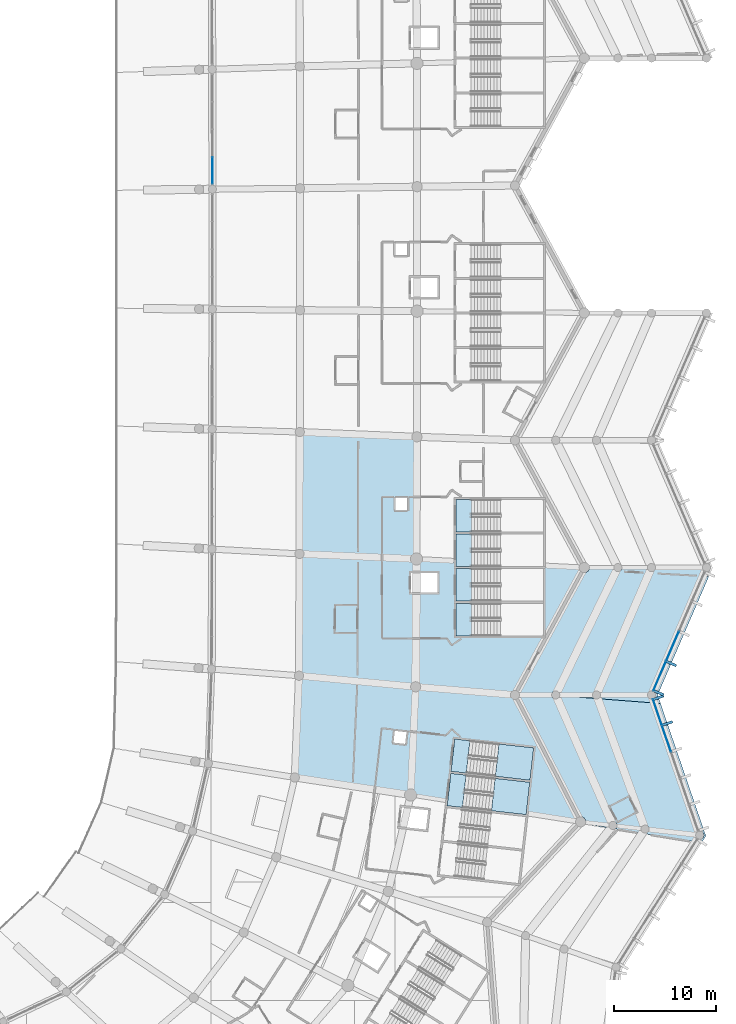
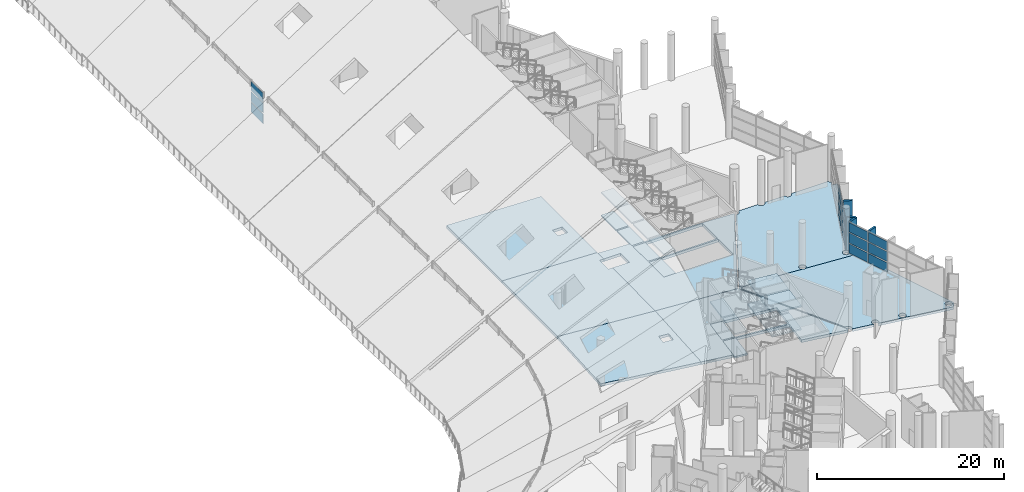
# One storey, part 114 of 249: 23 slabs, 19 plates, 9 elements without a shape of their own.
"""IFC4 building model written with IfcOpenShell, lengths in metres."""

from ifc_helpers import new_model, si_unit, direction, frame, origin, origin_2d, place, context, subcontext, project, spatial, polyline, rectangle, outline, extrude, material, layer, layer_set, type_object, element, aggregate, save


model = new_model("IFC4")

# Units and contexts
model_context = context("Model", 3, precision=1e-05, world=origin(), true_north=direction((0.0, 1.0)))
body_context = subcontext(model_context, "Body", "Model", "MODEL_VIEW")
ifc_project = project(units=[si_unit("LENGTHUNIT", "METRE"), si_unit("AREAUNIT", "SQUARE_METRE"), si_unit("VOLUMEUNIT", "CUBIC_METRE"), si_unit("PLANEANGLEUNIT", "RADIAN"), si_unit("MASSUNIT", "GRAM", prefix="KILO")], contexts=[model_context])

# Site, building, storey
site_placement = place(None, origin())
site = spatial("IfcSite", under=ifc_project, at=site_placement, CompositionType="ELEMENT")
building_placement = place(site_placement, origin())
building = spatial("IfcBuilding", under=site, at=building_placement, Name="Meseta Stadium", CompositionType="ELEMENT")
storey_placement = place(building_placement, frame((0.0, 0.0, 12.0)))
storey = spatial("IfcBuildingStorey", under=building, at=storey_placement, Name="L02", CompositionType="ELEMENT", Elevation=12.0)

# Curtain wall, plates
ifc_material_1 = material(Name="Aluminium", Category="aluminium")
ifc_layer_1 = layer(ifc_material_1, 0.199951171875)
ifc_layer_set_1 = layer_set([ifc_layer_1], Name="Suite glazing curtain wall")
curtain_wall_type_1 = type_object("IfcCurtainWallType", Name="Suite glazing curtain wall", PredefinedType="NOTDEFINED", material=ifc_layer_set_1)
curtain_wall_1_placement = place(storey_placement, origin())
curtain_wall_1 = element("IfcCurtainWall", 1, at=curtain_wall_1_placement, inside=storey, type_object=curtain_wall_type_1, Name="Suite glazing bay 05", PredefinedType="NOTDEFINED")
ifc_material_2 = material(Name="Glass", Category="glass")
ifc_layer_2 = layer(ifc_material_2, 0.035888671875)
ifc_layer_set_2 = layer_set([ifc_layer_2], Name="CW glass panel 36")
plate_type_1 = type_object("IfcPlateType", Name="CW glass panel 36", PredefinedType="CURTAIN_PANEL", material=ifc_layer_set_2)
plate_1_placement = place(storey_placement, frame((64.896728515625, 7.73291015625, 1.4873046875), z_axis=(0.0, 0.0, 1.0), x_axis=(-0.000975355927, 0.99999952434, 0.0)))
plate_1 = element("IfcPlate", 2, at=plate_1_placement, type_object=plate_type_1, Name="CWS panel 1.2", PredefinedType="CURTAIN_PANEL", context=body_context, shape_type="SweptSolid", body=[
    extrude(rectangle(XDim=2.61376953125, YDim=0.035888671875, at=origin_2d()), origin(), (0.0, 0.0, 1.0), 1.262451171875),
])
plate_2_placement = place(storey_placement, frame((64.896728515625, 7.73291015625, 2.89990234375), z_axis=(0.0, 0.0, 1.0), x_axis=(-0.000975355927, 0.99999952434, 0.0)))
plate_2 = element("IfcPlate", 3, at=plate_2_placement, type_object=plate_type_1, Name="CWS panel 1.3", PredefinedType="CURTAIN_PANEL", context=body_context, shape_type="SweptSolid", body=[
    extrude(rectangle(XDim=2.61376953125, YDim=0.035888671875, at=origin_2d()), origin(), (0.0, 0.0, 1.0), 1.262451171875),
])
plate_3_placement = place(storey_placement, frame((64.896728515625, 7.73291015625, 4.3125), z_axis=(0.0, 0.0, 1.0), x_axis=(-0.000975355927, 0.99999952434, 0.0)))
plate_3 = element("IfcPlate", 4, at=plate_3_placement, type_object=plate_type_1, Name="CWS panel 1.4", PredefinedType="CURTAIN_PANEL", context=body_context, shape_type="SweptSolid", body=[
    extrude(rectangle(XDim=2.61376953125, YDim=0.035888671875, at=origin_2d()), origin(), (0.0, 0.0, 1.0), 1.1875),
])
aggregate(curtain_wall_1, [plate_1, plate_2, plate_3])

# Slabs
ifc_material_3 = material(Name="Concrete C40/50", Category="concrete")
ifc_layer_3 = layer(ifc_material_3, 0.35009765625)
ifc_layer_set_3 = layer_set([ifc_layer_3], Name="Floor slab 350")
slab_type_1 = type_object("IfcSlabType", Name="Floor slab 350", PredefinedType="FLOOR", material=ifc_layer_set_3)
slab_1_placement = place(storey_placement, frame((0.0, 0.0, -0.35009765625)))
element("IfcSlab", 5, at=slab_1_placement, inside=storey, type_object=slab_type_1, Name="Floor slab L02 sector 00 panel 08", PredefinedType="FLOOR", context=body_context, shape_type="SweptSolid", body=[
    extrude(outline(polyline([(84.36328125, -53.5654296875), (84.85400390625, -42.948486328125), (73.40478515625, -41.8623046875), (72.99267578125, -51.837158203125), (84.34033203125, -53.664794921875), (84.36328125, -53.5654296875)]), holes=[polyline([(83.84716796875, -48.57861328125), (82.65478515625, -48.444091796875), (82.7890625, -47.251708984375), (83.9814453125, -47.385986328125), (83.84716796875, -48.57861328125)])]), origin(), (0.0, 0.0, 1.0), 0.35009765625),
])
slab_2_placement = place(storey_placement, frame((0.0, 0.0, -0.35009765625)))
element("IfcSlab", 6, at=slab_2_placement, inside=storey, type_object=slab_type_1, Name="Floor slab L02 sector 00 panel 10", PredefinedType="FLOOR", context=body_context, shape_type="SweptSolid", body=[
    extrude(outline(polyline([(84.940673828125, -30.404052734375), (73.451416015625, -29.904052734375), (73.40478515625, -41.8623046875), (84.85400390625, -42.948486328125), (84.91796875, -33.699951171875), (84.39990234375, -33.699951171875), (84.39990234375, -31.800048828125), (84.93115234375, -31.800048828125), (84.940673828125, -30.404052734375)])), origin(), (0.0, 0.0, 1.0), 0.35009765625),
])
slab_3_placement = place(storey_placement, frame((0.0, 0.0, -0.35009765625)))
element("IfcSlab", 7, at=slab_3_placement, inside=storey, type_object=slab_type_1, Name="Floor slab L02 sector 00 panel 11", PredefinedType="FLOOR", context=body_context, shape_type="SweptSolid", body=[
    extrude(outline(polyline([(73.451416015625, -29.904052734375), (84.940673828125, -30.404052734375), (84.973388671875, -18.321533203125), (73.482421875, -17.943603515625), (73.451416015625, -29.904052734375)]), holes=[polyline([(82.85009765625, -25.60009765625), (82.85009765625, -24.39990234375), (84.050048828125, -24.39990234375), (84.050048828125, -25.60009765625), (82.85009765625, -25.60009765625)])]), origin(), (0.0, 0.0, 1.0), 0.35009765625),
])
slab_4_placement = place(storey_placement, frame((0.0, 0.0, -0.35009765625)))
element("IfcSlab", 8, at=slab_4_placement, inside=storey, type_object=slab_type_1, Name="Floor slab L02 sector 00 panel 18", PredefinedType="FLOOR", context=body_context, shape_type="SweptSolid", body=[
    extrude(outline(polyline([(84.91796875, -33.699951171875), (84.85400390625, -42.948486328125), (94.60009765625, -43.75), (101.301513671875, -31.430908203125), (96.176025390625, -31.14990234375), (88.800048828125, -31.14990234375), (88.800048828125, -30.74560546875), (84.939697265625, -30.533935546875), (84.93115234375, -31.800048828125), (87.0, -31.800048828125), (87.0, -33.699951171875), (84.91796875, -33.699951171875)]), holes=[polyline([(88.800048828125, -34.75), (97.39990234375, -34.75), (97.39990234375, -37.949951171875), (88.800048828125, -37.949951171875), (88.800048828125, -34.75)]), polyline([(88.800048828125, -31.35009765625), (97.39990234375, -31.35009765625), (97.39990234375, -34.550048828125), (88.800048828125, -34.550048828125), (88.800048828125, -31.35009765625)])]), origin(), (0.0, 0.0, 1.0), 0.35009765625),
])
slab_5_placement = place(storey_placement, frame((0.0, 0.0, -0.35009765625)))
element("IfcSlab", 9, at=slab_5_placement, inside=storey, type_object=slab_type_1, Name="Floor slab L02 sector 00 panel 20", PredefinedType="FLOOR", context=body_context, shape_type="SweptSolid", body=[
    extrude(outline(polyline([(96.05517578125, -52.319091796875), (95.697509765625, -55.493896484375), (100.927490234375, -56.336181640625), (101.0517578125, -56.202880859375), (94.60009765625, -43.75), (84.85400390625, -42.948486328125), (84.36328125, -53.5654296875), (84.34033203125, -53.664794921875), (87.98779296875, -54.252197265625), (88.30419921875, -51.44580078125), (96.05517578125, -52.319091796875)]), holes=[polyline([(96.077392578125, -52.1201171875), (88.326416015625, -51.246826171875), (88.684814453125, -48.06689453125), (96.435791015625, -48.9404296875), (96.077392578125, -52.1201171875)])]), origin(), (0.0, 0.0, 1.0), 0.35009765625),
])
slab_6_placement = place(storey_placement, frame((0.0, 0.0, -0.35009765625)))
element("IfcSlab", 10, at=slab_6_placement, inside=storey, type_object=slab_type_1, Name="Ring floor slab L02 8 part 2 panel 01", PredefinedType="FLOOR", context=body_context, shape_type="SweptSolid", body=[
    extrude(outline(polyline([(98.210205078125, -43.8544921875), (98.196533203125, -43.75), (95.053955078125, -43.75), (95.038330078125, -43.867431640625), (94.9931640625, -43.976806640625), (94.929443359375, -44.059814453125), (100.965087890625, -55.7099609375), (101.0517578125, -55.698486328125), (101.18212890625, -55.7158203125), (101.3037109375, -55.76611328125), (101.408203125, -55.84619140625), (101.48828125, -55.95068359375), (101.538818359375, -56.072265625), (101.555908203125, -56.202880859375), (101.538818359375, -56.33349609375), (101.49951171875, -56.42822265625), (103.90478515625, -56.815673828125), (103.862548828125, -56.760498046875), (103.822265625, -56.663330078125), (103.80859375, -56.558837890625), (103.822265625, -56.45458984375), (103.862548828125, -56.357177734375), (103.9267578125, -56.273681640625), (104.01025390625, -56.20947265625), (104.107666015625, -56.169189453125), (104.2119140625, -56.155517578125), (104.31640625, -56.169189453125), (104.413818359375, -56.20947265625), (104.497314453125, -56.273681640625), (104.561279296875, -56.357177734375), (104.601806640625, -56.45458984375), (104.615478515625, -56.558837890625), (104.601806640625, -56.663330078125), (104.561279296875, -56.760498046875), (104.497314453125, -56.84423828125), (104.42529296875, -56.8994140625), (112.906982421875, -58.265380859375), (113.334716796875, -57.5869140625), (108.885986328125, -44.58544921875), (102.7626953125, -44.115478515625), (102.704345703125, -44.1396484375), (102.60009765625, -44.153564453125), (102.49560546875, -44.1396484375), (102.398193359375, -44.099365234375), (102.381103515625, -44.086181640625), (98.993408203125, -43.826171875), (98.98974609375, -43.8544921875), (98.949462890625, -43.95166015625), (98.88525390625, -44.035400390625), (98.8017578125, -44.099365234375), (98.704345703125, -44.1396484375), (98.60009765625, -44.153564453125), (98.49560546875, -44.1396484375), (98.398193359375, -44.099365234375), (98.314697265625, -44.035400390625), (98.25048828125, -43.95166015625), (98.210205078125, -43.8544921875)]), holes=[polyline([(112.3486328125, -57.415283203125), (112.388916015625, -57.31787109375), (112.453125, -57.234375), (112.53662109375, -57.170166015625), (112.634033203125, -57.1298828125), (112.73828125, -57.1162109375), (112.8427734375, -57.1298828125), (112.940185546875, -57.170166015625), (113.023681640625, -57.234375), (113.087890625, -57.31787109375), (113.128173828125, -57.415283203125), (113.141845703125, -57.51953125), (113.128173828125, -57.6240234375), (113.087890625, -57.72119140625), (113.023681640625, -57.804931640625), (112.940185546875, -57.868896484375), (112.8427734375, -57.9091796875), (112.73828125, -57.923095703125), (112.634033203125, -57.9091796875), (112.53662109375, -57.868896484375), (112.453125, -57.804931640625), (112.388916015625, -57.72119140625), (112.3486328125, -57.6240234375), (112.3349609375, -57.51953125), (112.3486328125, -57.415283203125)]), polyline([(107.476806640625, -56.525390625), (107.57421875, -56.565673828125), (107.65771484375, -56.629638671875), (107.7216796875, -56.71337890625), (107.76220703125, -56.810546875), (107.77587890625, -56.9150390625), (107.76220703125, -57.019287109375), (107.7216796875, -57.11669921875), (107.65771484375, -57.2001953125), (107.57421875, -57.264404296875), (107.476806640625, -57.3046875), (107.372314453125, -57.318603515625), (107.267822265625, -57.3046875), (107.170654296875, -57.264404296875), (107.087158203125, -57.2001953125), (107.02294921875, -57.11669921875), (106.982666015625, -57.019287109375), (106.968994140625, -56.9150390625), (106.982666015625, -56.810546875), (107.02294921875, -56.71337890625), (107.087158203125, -56.629638671875), (107.170654296875, -56.565673828125), (107.267822265625, -56.525390625), (107.372314453125, -56.51171875), (107.476806640625, -56.525390625)])]), origin(), (0.0, 0.0, 1.0), 0.35009765625),
])
slab_7_placement = place(storey_placement, frame((0.0, 0.0, -0.35009765625)))
element("IfcSlab", 11, at=slab_7_placement, inside=storey, type_object=slab_type_1, Name="Ring floor slab L02 8 part 2 panel 02", PredefinedType="FLOOR", context=body_context, shape_type="SweptSolid", body=[
    extrude(outline(polyline([(104.804443359375, -31.6396484375), (104.699951171875, -31.653564453125), (104.595703125, -31.6396484375), (104.498291015625, -31.599365234375), (104.414794921875, -31.535400390625), (104.3505859375, -31.45166015625), (104.310302734375, -31.3544921875), (104.29638671875, -31.25), (101.904296875, -31.25), (101.88720703125, -31.380615234375), (101.836669921875, -31.502197265625), (101.756591796875, -31.606689453125), (101.652099609375, -31.686767578125), (101.530517578125, -31.737060546875), (101.39990234375, -31.75439453125), (101.30322265625, -31.74169921875), (94.935302734375, -43.44775390625), (94.9931640625, -43.523193359375), (95.038330078125, -43.632568359375), (95.053955078125, -43.75), (98.196533203125, -43.75), (98.210205078125, -43.6455078125), (98.25048828125, -43.54833984375), (98.314697265625, -43.464599609375), (98.398193359375, -43.400634765625), (98.49560546875, -43.3603515625), (98.60009765625, -43.346435546875), (98.704345703125, -43.3603515625), (98.8017578125, -43.400634765625), (98.88525390625, -43.464599609375), (98.949462890625, -43.54833984375), (98.98974609375, -43.6455078125), (99.00341796875, -43.75), (98.993408203125, -43.826171875), (102.381103515625, -44.086181640625), (102.314697265625, -44.035400390625), (102.25048828125, -43.95166015625), (102.210205078125, -43.8544921875), (102.196533203125, -43.75), (102.210205078125, -43.6455078125), (102.25048828125, -43.54833984375), (102.314697265625, -43.464599609375), (102.398193359375, -43.400634765625), (102.49560546875, -43.3603515625), (102.60009765625, -43.346435546875), (102.704345703125, -43.3603515625), (102.8017578125, -43.400634765625), (102.88525390625, -43.464599609375), (102.949462890625, -43.54833984375), (102.98974609375, -43.6455078125), (103.00341796875, -43.75), (102.98974609375, -43.8544921875), (102.949462890625, -43.95166015625), (102.88525390625, -44.035400390625), (102.8017578125, -44.099365234375), (102.7626953125, -44.115478515625), (108.885986328125, -44.58544921875), (108.60009765625, -43.75), (113.6298828125, -32.10693359375), (113.043701171875, -32.07470703125), (113.241455078125, -31.6171875), (113.1982421875, -31.599365234375), (113.11474609375, -31.535400390625), (113.050537109375, -31.45166015625), (113.01025390625, -31.3544921875), (112.99658203125, -31.25), (108.403564453125, -31.25), (108.3896484375, -31.3544921875), (108.349365234375, -31.45166015625), (108.285400390625, -31.535400390625), (108.20166015625, -31.599365234375), (108.1044921875, -31.6396484375), (108.0, -31.653564453125), (107.8955078125, -31.6396484375), (107.79833984375, -31.599365234375), (107.714599609375, -31.535400390625), (107.650634765625, -31.45166015625), (107.6103515625, -31.3544921875), (107.596435546875, -31.25), (105.103515625, -31.25), (105.089599609375, -31.3544921875), (105.04931640625, -31.45166015625), (104.9853515625, -31.535400390625), (104.901611328125, -31.599365234375), (104.804443359375, -31.6396484375)]), holes=[polyline([(108.0, -43.346435546875), (108.1044921875, -43.3603515625), (108.20166015625, -43.400634765625), (108.285400390625, -43.464599609375), (108.349365234375, -43.54833984375), (108.3896484375, -43.6455078125), (108.403564453125, -43.75), (108.3896484375, -43.8544921875), (108.349365234375, -43.95166015625), (108.285400390625, -44.035400390625), (108.20166015625, -44.099365234375), (108.1044921875, -44.1396484375), (108.0, -44.153564453125), (107.8955078125, -44.1396484375), (107.79833984375, -44.099365234375), (107.714599609375, -44.035400390625), (107.650634765625, -43.95166015625), (107.6103515625, -43.8544921875), (107.596435546875, -43.75), (107.6103515625, -43.6455078125), (107.650634765625, -43.54833984375), (107.714599609375, -43.464599609375), (107.79833984375, -43.400634765625), (107.8955078125, -43.3603515625), (108.0, -43.346435546875)])]), origin(), (0.0, 0.0, 1.0), 0.35009765625),
])

# Curtain wall, plates
ifc_material_4 = material(Name="Aluminium", Category="aluminium")
ifc_layer_4 = layer(ifc_material_4, 0.199951171875)
ifc_layer_set_4 = layer_set([ifc_layer_4], Name="Ring shopfront curtain wall")
curtain_wall_type_2 = type_object("IfcCurtainWallType", Name="Ring shopfront curtain wall", PredefinedType="NOTDEFINED", material=ifc_layer_set_4)
curtain_wall_2_placement = place(storey_placement, origin())
curtain_wall_2 = element("IfcCurtainWall", 12, at=curtain_wall_2_placement, inside=storey, type_object=curtain_wall_type_2, Name="Ring glazing L02 F00", PredefinedType="NOTDEFINED")
ifc_material_5 = material(Name="Glass", Category="glass")
ifc_layer_5 = layer(ifc_material_5, 0.035888671875)
ifc_layer_set_5 = layer_set([ifc_layer_5], Name="Ring CW glass panel 36")
plate_type_2 = type_object("IfcPlateType", Name="Ring CW glass panel 36", PredefinedType="CURTAIN_PANEL", material=ifc_layer_set_5)
plate_4_placement = place(storey_placement, frame((109.4736328125, -48.0322265625, 0.14990234375), z_axis=(0.0, 0.0, 1.0), x_axis=(-0.325385990532, 0.945581280042, 0.0)))
plate_4 = element("IfcPlate", 13, at=plate_4_placement, type_object=plate_type_2, Name="CWR1 panel 4.1", PredefinedType="CURTAIN_PANEL", context=body_context, shape_type="SweptSolid", body=[
    extrude(rectangle(XDim=2.6923828125, YDim=0.035888671875, at=origin_2d()), origin(), (0.0, 0.0, 1.0), 1.208251953125),
])
plate_5_placement = place(storey_placement, frame((109.4736328125, -48.0322265625, 1.50830078125), z_axis=(0.0, 0.0, 1.0), x_axis=(-0.325385990532, 0.945581280042, 0.0)))
plate_5 = element("IfcPlate", 14, at=plate_5_placement, type_object=plate_type_2, Name="CWR1 panel 4.2", PredefinedType="CURTAIN_PANEL", context=body_context, shape_type="SweptSolid", body=[
    extrude(rectangle(XDim=2.6923828125, YDim=0.035888671875, at=origin_2d()), origin(), (0.0, 0.0, 1.0), 1.283447265625),
])
plate_6_placement = place(storey_placement, frame((109.4736328125, -48.0322265625, 2.94189453125), z_axis=(0.0, 0.0, 1.0), x_axis=(-0.325385990532, 0.945581280042, 0.0)))
plate_6 = element("IfcPlate", 15, at=plate_6_placement, type_object=plate_type_2, Name="CWR1 panel 4.3", PredefinedType="CURTAIN_PANEL", context=body_context, shape_type="SweptSolid", body=[
    extrude(rectangle(XDim=2.6923828125, YDim=0.035888671875, at=origin_2d()), origin(), (0.0, 0.0, 1.0), 1.208251953125),
])
plate_7_placement = place(storey_placement, frame((108.582763671875, -45.443603515625, 0.14990234375), z_axis=(0.0, 0.0, 1.0), x_axis=(-0.325385990532, 0.945581280042, 0.0)))
plate_7 = element("IfcPlate", 16, at=plate_7_placement, type_object=plate_type_2, Name="CWR1 panel 5.1", PredefinedType="CURTAIN_PANEL", context=body_context, shape_type="SweptSolid", body=[
    extrude(rectangle(XDim=2.662353515625, YDim=0.035888671875, at=origin_2d()), origin(), (0.0, 0.0, 1.0), 1.208251953125),
])
plate_8_placement = place(storey_placement, frame((108.582763671875, -45.443603515625, 1.50830078125), z_axis=(0.0, 0.0, 1.0), x_axis=(-0.325385990532, 0.945581280042, 0.0)))
plate_8 = element("IfcPlate", 17, at=plate_8_placement, type_object=plate_type_2, Name="CWR1 panel 5.2", PredefinedType="CURTAIN_PANEL", context=body_context, shape_type="SweptSolid", body=[
    extrude(rectangle(XDim=2.662353515625, YDim=0.035888671875, at=origin_2d()), origin(), (0.0, 0.0, 1.0), 1.283447265625),
])
plate_9_placement = place(storey_placement, frame((108.582763671875, -45.443603515625, 2.94189453125), z_axis=(0.0, 0.0, 1.0), x_axis=(-0.325385990532, 0.945581280042, 0.0)))
plate_9 = element("IfcPlate", 18, at=plate_9_placement, type_object=plate_type_2, Name="CWR1 panel 5.3", PredefinedType="CURTAIN_PANEL", context=body_context, shape_type="SweptSolid", body=[
    extrude(rectangle(XDim=2.662353515625, YDim=0.035888671875, at=origin_2d()), origin(), (0.0, 0.0, 1.0), 1.208251953125),
])
aggregate(curtain_wall_2, [plate_4, plate_5, plate_6, plate_7, plate_8, plate_9])

curtain_wall_3_placement = place(storey_placement, origin())
curtain_wall_3 = element("IfcCurtainWall", 19, at=curtain_wall_3_placement, inside=storey, type_object=curtain_wall_type_2, Name="Ring glazing L02 F01", PredefinedType="NOTDEFINED")
plate_10_placement = place(storey_placement, frame((108.7998046875, -41.8984375, 0.14990234375), z_axis=(0.0, 0.0, 1.0), x_axis=(0.396580687073, 0.91799986854, 0.0)))
plate_10 = element("IfcPlate", 20, at=plate_10_placement, type_object=plate_type_2, Name="CWR1 panel 1.1", PredefinedType="CURTAIN_PANEL", context=body_context, shape_type="SweptSolid", body=[
    extrude(rectangle(XDim=3.1142578125, YDim=0.035888671875, at=origin_2d()), origin(), (0.0, 0.0, 1.0), 1.208251953125),
])
plate_11_placement = place(storey_placement, frame((108.7998046875, -41.8984375, 1.50830078125), z_axis=(0.0, 0.0, 1.0), x_axis=(0.396580687073, 0.91799986854, 0.0)))
plate_11 = element("IfcPlate", 21, at=plate_11_placement, type_object=plate_type_2, Name="CWR1 panel 1.2", PredefinedType="CURTAIN_PANEL", context=body_context, shape_type="SweptSolid", body=[
    extrude(rectangle(XDim=3.1142578125, YDim=0.035888671875, at=origin_2d()), origin(), (0.0, 0.0, 1.0), 1.283447265625),
])
plate_12_placement = place(storey_placement, frame((108.7998046875, -41.8984375, 2.94189453125), z_axis=(0.0, 0.0, 1.0), x_axis=(0.396580687073, 0.91799986854, 0.0)))
plate_12 = element("IfcPlate", 22, at=plate_12_placement, type_object=plate_type_2, Name="CWR1 panel 1.3", PredefinedType="CURTAIN_PANEL", context=body_context, shape_type="SweptSolid", body=[
    extrude(rectangle(XDim=3.1142578125, YDim=0.035888671875, at=origin_2d()), origin(), (0.0, 0.0, 1.0), 1.208251953125),
])
plate_13_placement = place(storey_placement, frame((110.064697265625, -38.970703125, 0.14990234375), z_axis=(0.0, 0.0, 1.0), x_axis=(0.396580687073, 0.91799986854, 0.0)))
plate_13 = element("IfcPlate", 23, at=plate_13_placement, type_object=plate_type_2, Name="CWR1 panel 2.1", PredefinedType="CURTAIN_PANEL", context=body_context, shape_type="SweptSolid", body=[
    extrude(rectangle(XDim=3.14404296875, YDim=0.035888671875, at=origin_2d()), origin(), (0.0, 0.0, 1.0), 1.208251953125),
])
plate_14_placement = place(storey_placement, frame((110.064697265625, -38.970703125, 1.50830078125), z_axis=(0.0, 0.0, 1.0), x_axis=(0.396580687073, 0.91799986854, 0.0)))
plate_14 = element("IfcPlate", 24, at=plate_14_placement, type_object=plate_type_2, Name="CWR1 panel 2.2", PredefinedType="CURTAIN_PANEL", context=body_context, shape_type="SweptSolid", body=[
    extrude(rectangle(XDim=3.14404296875, YDim=0.035888671875, at=origin_2d()), origin(), (0.0, 0.0, 1.0), 1.283447265625),
])
plate_15_placement = place(storey_placement, frame((110.064697265625, -38.970703125, 2.94189453125), z_axis=(0.0, 0.0, 1.0), x_axis=(0.396580687073, 0.91799986854, 0.0)))
plate_15 = element("IfcPlate", 25, at=plate_15_placement, type_object=plate_type_2, Name="CWR1 panel 2.3", PredefinedType="CURTAIN_PANEL", context=body_context, shape_type="SweptSolid", body=[
    extrude(rectangle(XDim=3.14404296875, YDim=0.035888671875, at=origin_2d()), origin(), (0.0, 0.0, 1.0), 1.208251953125),
])
aggregate(curtain_wall_3, [plate_10, plate_11, plate_12, plate_13, plate_14, plate_15])

# Plates
ifc_material_6 = material(Name="Precast concrete C40/50", Category="concrete")
ifc_layer_6 = layer(ifc_material_6, 0.25)
ifc_layer_set_6 = layer_set([ifc_layer_6], Name="Ring brise-soleil fin 250x1000")
plate_type_3 = type_object("IfcPlateType", Name="Ring brise-soleil fin 250x1000", PredefinedType="USERDEFINED", material=ifc_layer_set_6)
for number, where, z_axis, x_axis, name in (
    (26, (109.593017578125, -46.53564453125, 0.0), (0.0, 0.0, 1.0), (-0.325393223316, 0.945578791122, 0.0), "Brise-soleil fin L02 F00.5"),
    (27, (108.721923828125, -44.00390625, 0.0), (0.0, 0.0, 1.0), (-0.325393223316, 0.945578791122, 0.0), "Brise-soleil fin L02 F00.6"),
    (28, (108.7392578125, -43.552001953125, 0.0), (0.0, 0.0, 1.0), (0.396575976693, 0.918001903435, 0.0), "Brise-soleil fin L02 F01.1"),
    (29, (109.97998046875, -40.67919921875, 0.0), (0.0, 0.0, 1.0), (0.396575976693, 0.918001903435, 0.0), "Brise-soleil fin L02 F01.2"),
):
    element("IfcPlate", number, at=place(storey_placement, frame(where, z_axis=z_axis, x_axis=x_axis)), inside=storey, type_object=plate_type_3, Name=name, ObjectType="FIN", PredefinedType="USERDEFINED", context=body_context, shape_type="SweptSolid", body=[
        extrude(rectangle(XDim=0.25, YDim=1.0, at=origin_2d()), origin(), (0.0, 0.0, 1.0), 4.300048828125),
    ])

# Stair, slabs
ifc_material_7 = material(Name="Concrete C40/50", Category="concrete")
stair_type = type_object("IfcStairType", Name="Exit stair 4 flights 150 mm risers", PredefinedType="HALF_TURN_STAIR", material=ifc_material_7)
stair_1_placement = place(storey_placement, origin())
stair_1 = element("IfcStair", 30, at=stair_1_placement, inside=storey, type_object=stair_type, Name="ST3 L02", PredefinedType="HALF_TURN_STAIR")
ifc_material_8 = material(Name="Concrete C40/50", Category="concrete")
ifc_layer_7 = layer(ifc_material_8, 0.199951171875)
ifc_layer_set_7 = layer_set([ifc_layer_7], Name="Stair landing 200")
slab_type_2 = type_object("IfcSlabType", Name="Stair landing 200", PredefinedType="LANDING", material=ifc_layer_set_7)
slab_8_placement = place(storey_placement, frame((0.0, 0.0, 1.300048828125)))
slab_8 = element("IfcSlab", 31, at=slab_8_placement, type_object=slab_type_2, Name="ST3 L02 landing 1", PredefinedType="LANDING", context=body_context, shape_type="SweptSolid", body=[
    extrude(outline(polyline([(92.288330078125, -55.11474609375), (95.69677734375, -55.498779296875), (96.05517578125, -52.319091796875), (92.646728515625, -51.934814453125), (92.288330078125, -55.11474609375)])), origin(), (0.0, 0.0, 1.0), 0.199951171875),
])
slab_9_placement = place(storey_placement, frame((0.0, 0.0, 2.800048828125)))
slab_9 = element("IfcSlab", 32, at=slab_9_placement, type_object=slab_type_2, Name="ST3 L02 landing 2", PredefinedType="LANDING", context=body_context, shape_type="SweptSolid", body=[
    extrude(outline(polyline([(87.94580078125, -54.62548828125), (89.4462890625, -54.794677734375), (89.8046875, -51.61474609375), (88.30419921875, -51.445556640625), (87.94580078125, -54.62548828125)])), origin(), (0.0, 0.0, 1.0), 0.199951171875),
])
slab_10_placement = place(storey_placement, frame((0.0, 0.0, 4.300048828125)))
slab_10 = element("IfcSlab", 33, at=slab_10_placement, type_object=slab_type_2, Name="ST3 L02 landing 3", PredefinedType="LANDING", context=body_context, shape_type="SweptSolid", body=[
    extrude(outline(polyline([(92.288330078125, -55.11474609375), (95.69677734375, -55.498779296875), (96.05517578125, -52.319091796875), (92.646728515625, -51.934814453125), (92.288330078125, -55.11474609375)])), origin(), (0.0, 0.0, 1.0), 0.199951171875),
])
slab_11_placement = place(storey_placement, frame((0.0, 0.0, -0.199951171875)))
slab_11 = element("IfcSlab", 34, at=slab_11_placement, type_object=slab_type_2, Name="ST3 L02 landing 4", PredefinedType="LANDING", context=body_context, shape_type="SweptSolid", body=[
    extrude(outline(polyline([(87.94580078125, -54.62548828125), (89.4462890625, -54.794677734375), (89.8046875, -51.61474609375), (88.30419921875, -51.445556640625), (87.94580078125, -54.62548828125)])), origin(), (0.0, 0.0, 1.0), 0.199951171875),
])
aggregate(stair_1, [slab_8, slab_9, slab_10, slab_11])

stair_2_placement = place(storey_placement, origin())
stair_2 = element("IfcStair", 35, at=stair_2_placement, inside=storey, type_object=stair_type, Name="ST4 L02", PredefinedType="HALF_TURN_STAIR")
slab_12_placement = place(storey_placement, frame((0.0, 0.0, 1.300048828125)))
slab_12 = element("IfcSlab", 36, at=slab_12_placement, type_object=slab_type_2, Name="ST4 L02 landing 1", PredefinedType="LANDING", context=body_context, shape_type="SweptSolid", body=[
    extrude(outline(polyline([(92.6689453125, -51.736083984375), (96.077392578125, -52.1201171875), (96.435791015625, -48.9404296875), (93.02734375, -48.556396484375), (92.6689453125, -51.736083984375)])), origin(), (0.0, 0.0, 1.0), 0.199951171875),
])
slab_13_placement = place(storey_placement, frame((0.0, 0.0, 2.800048828125)))
slab_13 = element("IfcSlab", 37, at=slab_13_placement, type_object=slab_type_2, Name="ST4 L02 landing 2", PredefinedType="LANDING", context=body_context, shape_type="SweptSolid", body=[
    extrude(outline(polyline([(88.326416015625, -51.246826171875), (89.8271484375, -51.416015625), (90.185302734375, -48.236083984375), (88.684814453125, -48.067138671875), (88.326416015625, -51.246826171875)])), origin(), (0.0, 0.0, 1.0), 0.199951171875),
])
slab_14_placement = place(storey_placement, frame((0.0, 0.0, 4.300048828125)))
slab_14 = element("IfcSlab", 38, at=slab_14_placement, type_object=slab_type_2, Name="ST4 L02 landing 3", PredefinedType="LANDING", context=body_context, shape_type="SweptSolid", body=[
    extrude(outline(polyline([(92.6689453125, -51.736083984375), (96.077392578125, -52.1201171875), (96.435791015625, -48.9404296875), (93.02734375, -48.556396484375), (92.6689453125, -51.736083984375)])), origin(), (0.0, 0.0, 1.0), 0.199951171875),
])
slab_15_placement = place(storey_placement, frame((0.0, 0.0, -0.199951171875)))
slab_15 = element("IfcSlab", 39, at=slab_15_placement, type_object=slab_type_2, Name="ST4 L02 landing 4", PredefinedType="LANDING", context=body_context, shape_type="SweptSolid", body=[
    extrude(outline(polyline([(88.326416015625, -51.246826171875), (89.8271484375, -51.416015625), (90.185302734375, -48.236083984375), (88.684814453125, -48.067138671875), (88.326416015625, -51.246826171875)])), origin(), (0.0, 0.0, 1.0), 0.199951171875),
])
aggregate(stair_2, [slab_12, slab_13, slab_14, slab_15])

stair_3_placement = place(storey_placement, origin())
stair_3 = element("IfcStair", 40, at=stair_3_placement, inside=storey, type_object=stair_type, Name="ST5 L02", PredefinedType="HALF_TURN_STAIR")
slab_16_placement = place(storey_placement, frame((0.0, 0.0, 2.800048828125)))
slab_16 = element("IfcSlab", 41, at=slab_16_placement, type_object=slab_type_2, Name="ST5 L02 landing 2", PredefinedType="LANDING", context=body_context, shape_type="SweptSolid", body=[
    extrude(outline(polyline([(88.800048828125, -37.949951171875), (90.31005859375, -37.949951171875), (90.31005859375, -34.75), (88.800048828125, -34.75), (88.800048828125, -37.949951171875)])), origin(), (0.0, 0.0, 1.0), 0.199951171875),
])
slab_17_placement = place(storey_placement, frame((0.0, 0.0, -0.199951171875)))
slab_17 = element("IfcSlab", 42, at=slab_17_placement, type_object=slab_type_2, Name="ST5 L02 landing 4", PredefinedType="LANDING", context=body_context, shape_type="SweptSolid", body=[
    extrude(outline(polyline([(88.800048828125, -37.949951171875), (90.31005859375, -37.949951171875), (90.31005859375, -34.75), (88.800048828125, -34.75), (88.800048828125, -37.949951171875)])), origin(), (0.0, 0.0, 1.0), 0.199951171875),
])
aggregate(stair_3, [slab_16, slab_17])

stair_4_placement = place(storey_placement, origin())
stair_4 = element("IfcStair", 43, at=stair_4_placement, inside=storey, type_object=stair_type, Name="ST6 L02", PredefinedType="HALF_TURN_STAIR")
slab_18_placement = place(storey_placement, frame((0.0, 0.0, 2.800048828125)))
slab_18 = element("IfcSlab", 44, at=slab_18_placement, type_object=slab_type_2, Name="ST6 L02 landing 2", PredefinedType="LANDING", context=body_context, shape_type="SweptSolid", body=[
    extrude(outline(polyline([(88.800048828125, -34.550048828125), (90.31005859375, -34.550048828125), (90.31005859375, -31.35009765625), (88.800048828125, -31.35009765625), (88.800048828125, -34.550048828125)])), origin(), (0.0, 0.0, 1.0), 0.199951171875),
])
slab_19_placement = place(storey_placement, frame((0.0, 0.0, -0.199951171875)))
slab_19 = element("IfcSlab", 45, at=slab_19_placement, type_object=slab_type_2, Name="ST6 L02 landing 4", PredefinedType="LANDING", context=body_context, shape_type="SweptSolid", body=[
    extrude(outline(polyline([(88.800048828125, -34.550048828125), (90.31005859375, -34.550048828125), (90.31005859375, -31.35009765625), (88.800048828125, -31.35009765625), (88.800048828125, -34.550048828125)])), origin(), (0.0, 0.0, 1.0), 0.199951171875),
])
aggregate(stair_4, [slab_18, slab_19])

stair_5_placement = place(storey_placement, origin())
stair_5 = element("IfcStair", 46, at=stair_5_placement, inside=storey, type_object=stair_type, Name="ST7 L02", PredefinedType="HALF_TURN_STAIR")
slab_20_placement = place(storey_placement, frame((0.0, 0.0, 2.800048828125)))
slab_20 = element("IfcSlab", 47, at=slab_20_placement, type_object=slab_type_2, Name="ST7 L02 landing 2", PredefinedType="LANDING", context=body_context, shape_type="SweptSolid", body=[
    extrude(outline(polyline([(88.800048828125, -31.14990234375), (90.31005859375, -31.14990234375), (90.31005859375, -27.949951171875), (88.800048828125, -27.949951171875), (88.800048828125, -31.14990234375)])), origin(), (0.0, 0.0, 1.0), 0.199951171875),
])
slab_21_placement = place(storey_placement, frame((0.0, 0.0, -0.199951171875)))
slab_21 = element("IfcSlab", 48, at=slab_21_placement, type_object=slab_type_2, Name="ST7 L02 landing 4", PredefinedType="LANDING", context=body_context, shape_type="SweptSolid", body=[
    extrude(outline(polyline([(88.800048828125, -31.14990234375), (90.31005859375, -31.14990234375), (90.31005859375, -27.949951171875), (88.800048828125, -27.949951171875), (88.800048828125, -31.14990234375)])), origin(), (0.0, 0.0, 1.0), 0.199951171875),
])
aggregate(stair_5, [slab_20, slab_21])

stair_6_placement = place(storey_placement, origin())
stair_6 = element("IfcStair", 49, at=stair_6_placement, inside=storey, type_object=stair_type, Name="ST8 L02", PredefinedType="HALF_TURN_STAIR")
slab_22_placement = place(storey_placement, frame((0.0, 0.0, 2.800048828125)))
slab_22 = element("IfcSlab", 50, at=slab_22_placement, type_object=slab_type_2, Name="ST8 L02 landing 2", PredefinedType="LANDING", context=body_context, shape_type="SweptSolid", body=[
    extrude(outline(polyline([(88.800048828125, -27.75), (90.31005859375, -27.75), (90.31005859375, -24.550048828125), (88.800048828125, -24.550048828125), (88.800048828125, -27.75)])), origin(), (0.0, 0.0, 1.0), 0.199951171875),
])
slab_23_placement = place(storey_placement, frame((0.0, 0.0, -0.199951171875)))
slab_23 = element("IfcSlab", 51, at=slab_23_placement, type_object=slab_type_2, Name="ST8 L02 landing 4", PredefinedType="LANDING", context=body_context, shape_type="SweptSolid", body=[
    extrude(outline(polyline([(88.800048828125, -27.75), (90.31005859375, -27.75), (90.31005859375, -24.550048828125), (88.800048828125, -24.550048828125), (88.800048828125, -27.75)])), origin(), (0.0, 0.0, 1.0), 0.199951171875),
])
aggregate(stair_6, [slab_22, slab_23])

save(model, "model.ifc")
